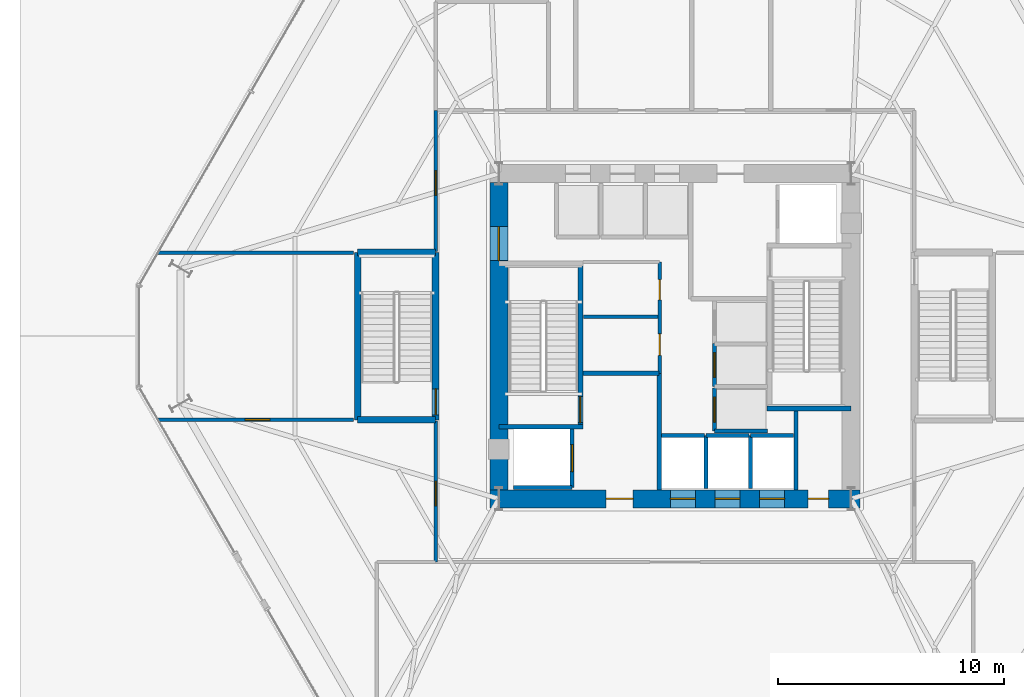
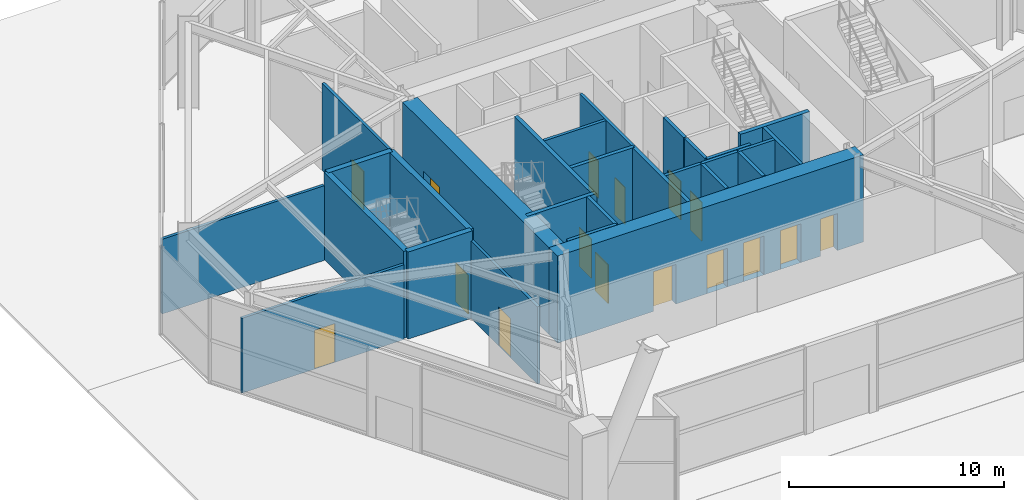
# One storey, part 17 of 26: 28 walls, 16 doors, 16 openings.
"""IFC4 building model written with IfcOpenShell, lengths in metres."""

from ifc_helpers import new_model, si_unit, direction, frame, frame_2d, origin, place, context, subcontext, project, spatial, rectangle, extrude, material, layer, layer_set, type_object, element, fill, save


model = new_model("IFC4")

# Units and contexts
model_context = context("Model", 3, precision=1e-05, world=origin(), true_north=direction((0.0, 1.0)))
body_context = subcontext(model_context, "Body", "Model", "MODEL_VIEW")
ifc_project = project(units=[si_unit("LENGTHUNIT", "METRE"), si_unit("AREAUNIT", "SQUARE_METRE"), si_unit("VOLUMEUNIT", "CUBIC_METRE"), si_unit("PLANEANGLEUNIT", "RADIAN"), si_unit("MASSUNIT", "GRAM", prefix="KILO")], contexts=[model_context])

# Site, building, storey
site_placement = place(None, origin())
site = spatial("IfcSite", under=ifc_project, at=site_placement, CompositionType="ELEMENT")
building_placement = place(site_placement, origin())
building = spatial("IfcBuilding", under=site, at=building_placement, Name="Kranzbogen Civic Tower", CompositionType="ELEMENT")
storey_placement = place(building_placement, origin())
storey = spatial("IfcBuildingStorey", under=building, at=storey_placement, Name="L00", CompositionType="ELEMENT", Elevation=0.0)

# Wall, opening, door
ifc_material_1 = material(Name="Double-Stud Acoustic Gypsum Partition")
ifc_layer_1 = layer(ifc_material_1, 0.14990234375, Name="Double-Stud Acoustic Gypsum Partition")
ifc_layer_set_1 = layer_set([ifc_layer_1], Name="Double-Stud Acoustic Gypsum Partition")
wall_type_1 = type_object("IfcWallType", Name="Acoustic Corridor and Clinical Partition 150 mm", PredefinedType="PARTITIONING", material=ifc_layer_set_1)
wall_1_placement = place(storey_placement, frame((14.39990234375, 15.0, 0.0), z_axis=(0.0, 0.0, 1.0), x_axis=(0.0, 1.0, 0.0)))
wall_1 = element("IfcWall", 1, at=wall_1_placement, inside=storey, type_object=wall_type_1, Name="L00 podium concourse W1 wall", PredefinedType="PARTITIONING", context=body_context, shape_type="SweptSolid", body=[
    extrude(rectangle(XDim=6.25, YDim=0.14990234375, at=frame_2d((3.125, 0.0))), origin(), (0.0, 0.0, 1.0), 4.389892578125),
])
opening_1_placement = place(wall_1_placement, frame((2.486083984375, 0.0, 0.0)))
opening_1 = element("IfcOpeningElement", 2, at=opening_1_placement, cuts=wall_1, Name="Opening D-COR60", PredefinedType="OPENING", context=body_context, shape_type="SweptSolid", body=[
    extrude(rectangle(XDim=1.10009765625, YDim=2.199951171875, at=frame_2d((0.550048828125, 1.10009765625))), frame((0.0, 0.0849609375, 0.0), z_axis=(0.0, -1.0, 0.0), x_axis=(1.0, 0.0, 0.0)), (0.0, 0.0, 1.0), 0.169921875),
])
ifc_material_2 = material(Name="Oak Timber and Fire Core", Category="wood")
door_type_1 = type_object("IfcDoorType", Name="Corridor Acoustic Fire Door 1100x2200", OperationType="NOTDEFINED", PredefinedType="DOOR", material=ifc_material_2)
door_1_placement = place(opening_1_placement, origin())
door_1 = element("IfcDoor", 3, at=door_1_placement, inside=storey, type_object=door_type_1, Name="L00 Central Post and Dispatch Room door", OperationType="SINGLE_SWING_RIGHT", OverallHeight=2.199951171875, OverallWidth=1.10009765625, PredefinedType="DOOR", context=body_context, shape_type="SweptSolid", body=[
    extrude(rectangle(XDim=1.10009765625, YDim=2.199951171875, at=frame_2d((0.550048828125, 1.10009765625))), frame((0.0, 0.02490234375, 0.0), z_axis=(0.0, -1.0, 0.0), x_axis=(1.0, 0.0, 0.0)), (0.0, 0.0, 1.0), 0.050048828125),
])
fill(opening_1, door_1)

wall_2_placement = place(storey_placement, frame((14.39990234375, 28.75, 0.0), z_axis=(0.0, 0.0, 1.0), x_axis=(0.0, 1.0, 0.0)))
wall_2 = element("IfcWall", 4, at=wall_2_placement, inside=storey, type_object=wall_type_1, Name="L00 podium concourse W2 wall", PredefinedType="PARTITIONING", context=body_context, shape_type="SweptSolid", body=[
    extrude(rectangle(XDim=6.25, YDim=0.14990234375, at=frame_2d((3.125, 0.0))), origin(), (0.0, 0.0, 1.0), 4.93994140625),
])
opening_2_placement = place(wall_2_placement, frame((2.486083984375, 0.0, 0.0)))
opening_2 = element("IfcOpeningElement", 5, at=opening_2_placement, cuts=wall_2, Name="Opening D-COR60", PredefinedType="OPENING", context=body_context, shape_type="SweptSolid", body=[
    extrude(rectangle(XDim=1.10009765625, YDim=2.199951171875, at=frame_2d((0.550048828125, 1.10009765625))), frame((0.0, 0.0849609375, 0.0), z_axis=(0.0, -1.0, 0.0), x_axis=(1.0, 0.0, 0.0)), (0.0, 0.0, 1.0), 0.169921875),
])
door_2_placement = place(opening_2_placement, origin())
door_2 = element("IfcDoor", 6, at=door_2_placement, inside=storey, type_object=door_type_1, Name="L00 Civil Registry Counter Hall door", OperationType="SINGLE_SWING_LEFT", OverallHeight=2.199951171875, OverallWidth=1.10009765625, PredefinedType="DOOR", context=body_context, shape_type="SweptSolid", body=[
    extrude(rectangle(XDim=1.10009765625, YDim=2.199951171875, at=frame_2d((0.550048828125, 1.10009765625))), frame((0.0, 0.02490234375, 0.0), z_axis=(0.0, -1.0, 0.0), x_axis=(1.0, 0.0, 0.0)), (0.0, 0.0, 1.0), 0.050048828125),
])
fill(opening_2, door_2)

wall_3_placement = place(storey_placement, frame((2.080078125, 21.300048828125, 0.0), z_axis=(0.0, 0.0, 1.0), x_axis=(1.0, 0.0, 0.0)))
wall_3 = element("IfcWall", 7, at=wall_3_placement, inside=storey, type_object=wall_type_1, Name="L00 podium partition 12", PredefinedType="PARTITIONING", context=body_context, shape_type="SweptSolid", body=[
    extrude(rectangle(XDim=8.68994140625, YDim=0.14990234375, at=frame_2d((4.344970703125, 0.0))), origin(), (0.0, 0.0, 1.0), 4.239990234375),
])
opening_3_placement = place(wall_3_placement, frame((3.884033203125, 0.0, 0.0)))
opening_3 = element("IfcOpeningElement", 8, at=opening_3_placement, cuts=wall_3, Name="Opening D-COR60", PredefinedType="OPENING", context=body_context, shape_type="SweptSolid", body=[
    extrude(rectangle(XDim=1.10009765625, YDim=2.199951171875, at=frame_2d((0.550048828125, 1.10009765625))), frame((0.0, 0.0849609375, 0.0), z_axis=(0.0, -1.0, 0.0), x_axis=(1.0, 0.0, 0.0)), (0.0, 0.0, 1.0), 0.169921875),
])
door_3_placement = place(opening_3_placement, origin())
door_3 = element("IfcDoor", 9, at=door_3_placement, inside=storey, type_object=door_type_1, Name="L00 Citizen Enquiries Suite door", OperationType="SINGLE_SWING_LEFT", OverallHeight=2.199951171875, OverallWidth=1.10009765625, PredefinedType="DOOR", context=body_context, shape_type="SweptSolid", body=[
    extrude(rectangle(XDim=1.10009765625, YDim=2.199951171875, at=frame_2d((0.550048828125, 1.10009765625))), frame((0.0, 0.02490234375, 0.0), z_axis=(0.0, -1.0, 0.0), x_axis=(1.0, 0.0, 0.0)), (0.0, 0.0, 1.0), 0.050048828125),
])
fill(opening_3, door_3)

# Wall
wall_4_placement = place(storey_placement, frame((2.080078125, 28.699951171875, 0.0), z_axis=(0.0, 0.0, 1.0), x_axis=(1.0, 0.0, 0.0)))
element("IfcWall", 10, at=wall_4_placement, inside=storey, type_object=wall_type_1, Name="L00 podium partition 13", PredefinedType="PARTITIONING", context=body_context, shape_type="SweptSolid", body=[
    extrude(rectangle(XDim=8.68994140625, YDim=0.14990234375, at=frame_2d((4.344970703125, 0.0))), origin(), (0.0, 0.0, 1.0), 4.239990234375),
])

# Wall, openings, doors
ifc_material_3 = material(Name="Concrete C55/67", Category="concrete")
ifc_layer_2 = layer(ifc_material_3, 0.800048828125, Name="Concrete C55/67")
ifc_layer_set_2 = layer_set([ifc_layer_2], Name="Concrete C55/67")
wall_type_2 = type_object("IfcWallType", Name="Central Core Shear Wall 800 mm", PredefinedType="SHEAR", material=ifc_layer_set_2)
wall_5_placement = place(storey_placement, frame((16.800048828125, 17.800048828125, 0.0), z_axis=(0.0, 0.0, 1.0), x_axis=(1.0, 0.0, 0.0)))
wall_5 = element("IfcWall", 11, at=wall_5_placement, inside=storey, type_object=wall_type_2, Name="L00 central core South shear wall", PredefinedType="SHEAR", context=body_context, shape_type="SweptSolid", body=[
    extrude(rectangle(XDim=16.39990234375, YDim=0.800048828125, at=frame_2d((8.199951171875, 0.0))), origin(), (0.0, 0.0, 1.0), 4.93994140625),
])
opening_4_placement = place(wall_5_placement, frame((5.14990234375, 0.0, 0.0)))
opening_4 = element("IfcOpeningElement", 12, at=opening_4_placement, cuts=wall_5, Name="Opening D-EX120", PredefinedType="OPENING", context=body_context, shape_type="SweptSolid", body=[
    extrude(rectangle(XDim=1.199951171875, YDim=2.25, at=frame_2d((0.60009765625, 1.125))), frame((0.0, 0.41015625, 0.0), z_axis=(0.0, -1.0, 0.0), x_axis=(1.0, 0.0, 0.0)), (0.0, 0.0, 1.0), 0.820068359375),
])
opening_5_placement = place(wall_5_placement, frame((14.10009765625, 0.0, 0.0)))
opening_5 = element("IfcOpeningElement", 13, at=opening_5_placement, cuts=wall_5, Name="Opening D-WC90", PredefinedType="OPENING", context=body_context, shape_type="SweptSolid", body=[
    extrude(rectangle(XDim=0.89990234375, YDim=2.10009765625, at=frame_2d((0.449951171875, 1.050048828125))), frame((0.0, 0.41015625, 0.0), z_axis=(0.0, -1.0, 0.0), x_axis=(1.0, 0.0, 0.0)), (0.0, 0.0, 1.0), 0.820068359375),
])
opening_6_placement = place(wall_5_placement, frame((8.0, 0.0, 0.0)))
opening_6 = element("IfcOpeningElement", 14, at=opening_6_placement, cuts=wall_5, Name="Opening LD-LP-01", PredefinedType="OPENING", context=body_context, shape_type="SweptSolid", body=[
    extrude(rectangle(XDim=1.10009765625, YDim=2.199951171875, at=frame_2d((0.550048828125, 1.10009765625))), frame((0.0, 0.41015625, 0.0), z_axis=(0.0, -1.0, 0.0), x_axis=(1.0, 0.0, 0.0)), (0.0, 0.0, 1.0), 0.820068359375),
])
opening_7_placement = place(wall_5_placement, frame((9.97509765625, 0.0, 0.0)))
opening_7 = element("IfcOpeningElement", 15, at=opening_7_placement, cuts=wall_5, Name="Opening LD-LP-02", PredefinedType="OPENING", context=body_context, shape_type="SweptSolid", body=[
    extrude(rectangle(XDim=1.10009765625, YDim=2.199951171875, at=frame_2d((0.550048828125, 1.10009765625))), frame((0.0, 0.41015625, 0.0), z_axis=(0.0, -1.0, 0.0), x_axis=(1.0, 0.0, 0.0)), (0.0, 0.0, 1.0), 0.820068359375),
])
opening_8_placement = place(wall_5_placement, frame((11.949951171875, 0.0, 0.0)))
opening_8 = element("IfcOpeningElement", 16, at=opening_8_placement, cuts=wall_5, Name="Opening LD-LP-03", PredefinedType="OPENING", context=body_context, shape_type="SweptSolid", body=[
    extrude(rectangle(XDim=1.10009765625, YDim=2.199951171875, at=frame_2d((0.550048828125, 1.10009765625))), frame((0.0, 0.41015625, 0.0), z_axis=(0.0, -1.0, 0.0), x_axis=(1.0, 0.0, 0.0)), (0.0, 0.0, 1.0), 0.820068359375),
])
ifc_material_4 = material(Name="Steel S355", Category="steel")
door_type_2 = type_object("IfcDoorType", Name="Exit Passageway Fire Door 1200x2250", OperationType="NOTDEFINED", PredefinedType="DOOR", material=ifc_material_4)
door_4_placement = place(opening_4_placement, origin())
door_4 = element("IfcDoor", 17, at=door_4_placement, inside=storey, type_object=door_type_2, Name="L00 West firefighting lobby corridor door", OperationType="SINGLE_SWING_RIGHT", OverallHeight=2.25, OverallWidth=1.199951171875, PredefinedType="DOOR", context=body_context, shape_type="SweptSolid", body=[
    extrude(rectangle(XDim=1.199951171875, YDim=2.25, at=frame_2d((0.60009765625, 1.125))), frame((0.0, 0.02490234375, 0.0), z_axis=(0.0, -1.0, 0.0), x_axis=(1.0, 0.0, 0.0)), (0.0, 0.0, 1.0), 0.050048828125),
])
fill(opening_4, door_4)
ifc_material_5 = material(Name="Pale Anodised Aluminium", Category="aluminium")
door_type_3 = type_object("IfcDoorType", Name="Passenger Lift Sliding Landing Door 1100x2200", OperationType="DOUBLE_DOOR_SLIDING", PredefinedType="DOOR", material=ifc_material_5)
door_5_placement = place(opening_6_placement, origin())
door_5 = element("IfcDoor", 18, at=door_5_placement, inside=storey, type_object=door_type_3, Name="L00 lift LP-01 sliding landing door", OperationType="DOUBLE_DOOR_SLIDING", OverallHeight=2.199951171875, OverallWidth=1.10009765625, PredefinedType="DOOR", context=body_context, shape_type="SweptSolid", body=[
    extrude(rectangle(XDim=1.10009765625, YDim=2.199951171875, at=frame_2d((0.550048828125, 1.10009765625))), frame((0.0, 0.02490234375, 0.0), z_axis=(0.0, -1.0, 0.0), x_axis=(1.0, 0.0, 0.0)), (0.0, 0.0, 1.0), 0.050048828125),
])
fill(opening_6, door_5)
door_6_placement = place(opening_7_placement, origin())
door_6 = element("IfcDoor", 19, at=door_6_placement, inside=storey, type_object=door_type_3, Name="L00 lift LP-02 sliding landing door", OperationType="DOUBLE_DOOR_SLIDING", OverallHeight=2.199951171875, OverallWidth=1.10009765625, PredefinedType="DOOR", context=body_context, shape_type="SweptSolid", body=[
    extrude(rectangle(XDim=1.10009765625, YDim=2.199951171875, at=frame_2d((0.550048828125, 1.10009765625))), frame((0.0, 0.02490234375, 0.0), z_axis=(0.0, -1.0, 0.0), x_axis=(1.0, 0.0, 0.0)), (0.0, 0.0, 1.0), 0.050048828125),
])
fill(opening_7, door_6)
door_7_placement = place(opening_8_placement, origin())
door_7 = element("IfcDoor", 20, at=door_7_placement, inside=storey, type_object=door_type_3, Name="L00 lift LP-03 sliding landing door", OperationType="DOUBLE_DOOR_SLIDING", OverallHeight=2.199951171875, OverallWidth=1.10009765625, PredefinedType="DOOR", context=body_context, shape_type="SweptSolid", body=[
    extrude(rectangle(XDim=1.10009765625, YDim=2.199951171875, at=frame_2d((0.550048828125, 1.10009765625))), frame((0.0, 0.02490234375, 0.0), z_axis=(0.0, -1.0, 0.0), x_axis=(1.0, 0.0, 0.0)), (0.0, 0.0, 1.0), 0.050048828125),
])
fill(opening_8, door_7)
ifc_material_6 = material(Name="Moisture-Resistant Laminate")
door_type_4 = type_object("IfcDoorType", Name="Standard Restroom and Store Door 900x2100", OperationType="NOTDEFINED", PredefinedType="DOOR", material=ifc_material_6)
door_8_placement = place(opening_5_placement, origin())
door_8 = element("IfcDoor", 21, at=door_8_placement, inside=storey, type_object=door_type_4, Name="L00 East electrical riser access door", OperationType="SINGLE_SWING_RIGHT", OverallHeight=2.10009765625, OverallWidth=0.89990234375, PredefinedType="DOOR", context=body_context, shape_type="SweptSolid", body=[
    extrude(rectangle(XDim=0.89990234375, YDim=2.10009765625, at=frame_2d((0.449951171875, 1.050048828125))), frame((0.0, 0.02490234375, 0.0), z_axis=(0.0, -1.0, 0.0), x_axis=(1.0, 0.0, 0.0)), (0.0, 0.0, 1.0), 0.050048828125),
])
fill(opening_5, door_8)

# Wall, opening, door
wall_6_placement = place(storey_placement, frame((17.199951171875, 31.800048828125, 0.0), z_axis=(0.0, 0.0, 1.0), x_axis=(0.0, -1.0, 0.0)))
wall_6 = element("IfcWall", 22, at=wall_6_placement, inside=storey, type_object=wall_type_2, Name="L00 central core West shear wall", PredefinedType="SHEAR", context=body_context, shape_type="SweptSolid", body=[
    extrude(rectangle(XDim=13.60009765625, YDim=0.800048828125, at=frame_2d((6.800048828125, 0.0))), origin(), (0.0, 0.0, 1.0), 4.93994140625),
])
opening_9_placement = place(wall_6_placement, frame((1.949951171875, 0.0, 0.0)))
opening_9 = element("IfcOpeningElement", 23, at=opening_9_placement, cuts=wall_6, Name="Opening D-DBL15", PredefinedType="OPENING", context=body_context, shape_type="SweptSolid", body=[
    extrude(rectangle(XDim=1.5, YDim=2.199951171875, at=frame_2d((0.75, 1.10009765625))), frame((0.0, 0.41015625, 0.0), z_axis=(0.0, -1.0, 0.0), x_axis=(1.0, 0.0, 0.0)), (0.0, 0.0, 1.0), 0.820068359375),
])
ifc_material_7 = material(Name="Anodised Bronze and Glass", Category="glass")
door_type_5 = type_object("IfcDoorType", Name="Civic Lobby Double Door 1500x2200", OperationType="DOUBLE_DOOR_SINGLE_SWING", PredefinedType="DOOR", material=ifc_material_7)
door_9_placement = place(opening_9_placement, origin())
door_9 = element("IfcDoor", 24, at=door_9_placement, inside=storey, type_object=door_type_5, Name="L00 Central Lift Lobby West concourse door", OperationType="DOUBLE_DOOR_SINGLE_SWING", OverallHeight=2.199951171875, OverallWidth=1.5, PredefinedType="DOOR", context=body_context, shape_type="SweptSolid", body=[
    extrude(rectangle(XDim=1.5, YDim=2.199951171875, at=frame_2d((0.75, 1.10009765625))), frame((0.0, 0.02490234375, 0.0), z_axis=(0.0, -1.0, 0.0), x_axis=(1.0, 0.0, 0.0)), (0.0, 0.0, 1.0), 0.050048828125),
])
fill(opening_9, door_9)

ifc_material_8 = material(Name="Concrete C45/55", Category="concrete")
ifc_layer_3 = layer(ifc_material_8, 0.219970703125, Name="Concrete C45/55")
ifc_layer_set_3 = layer_set([ifc_layer_3], Name="Concrete C45/55")
wall_type_3 = type_object("IfcWallType", Name="Core Internal Stair Structural Wall 220 mm", PredefinedType="SOLIDWALL", material=ifc_layer_set_3)
wall_7_placement = place(storey_placement, frame((20.81005859375, 20.989990234375, 0.0), z_axis=(0.0, 0.0, 1.0), x_axis=(0.0, 1.0, 0.0)))
wall_7 = element("IfcWall", 25, at=wall_7_placement, inside=storey, type_object=wall_type_3, Name="L00 ST-T1 East structural stair wall", PredefinedType="SOLIDWALL", context=body_context, shape_type="SweptSolid", body=[
    extrude(rectangle(XDim=7.219970703125, YDim=0.219970703125, at=frame_2d((3.60986328125, 0.0))), origin(), (0.0, 0.0, 1.0), 4.93994140625),
])
opening_10_placement = place(wall_7_placement, frame((0.179931640625, 0.0, 0.0)))
opening_10 = element("IfcOpeningElement", 26, at=opening_10_placement, cuts=wall_7, Name="Opening D-ST90", PredefinedType="OPENING", context=body_context, shape_type="SweptSolid", body=[
    extrude(rectangle(XDim=1.14990234375, YDim=2.199951171875, at=frame_2d((0.574951171875, 1.10009765625))), frame((0.0, 0.1201171875, 0.0), z_axis=(0.0, -1.0, 0.0), x_axis=(1.0, 0.0, 0.0)), (0.0, 0.0, 1.0), 0.239990234375),
])
door_type_6 = type_object("IfcDoorType", Name="Pressurized Stair and Lobby Fire Door 1150x2200", OperationType="NOTDEFINED", PredefinedType="DOOR", material=ifc_material_4)
door_10_placement = place(opening_10_placement, origin())
door_10 = element("IfcDoor", 27, at=door_10_placement, inside=storey, type_object=door_type_6, Name="L00 Stair ST-T1 fire door", OperationType="SINGLE_SWING_RIGHT", OverallHeight=2.199951171875, OverallWidth=1.14990234375, PredefinedType="DOOR", context=body_context, shape_type="SweptSolid", body=[
    extrude(rectangle(XDim=1.14990234375, YDim=2.199951171875, at=frame_2d((0.574951171875, 1.10009765625))), frame((0.0, 0.02490234375, 0.0), z_axis=(0.0, -1.0, 0.0), x_axis=(1.0, 0.0, 0.0)), (0.0, 0.0, 1.0), 0.050048828125),
])
fill(opening_10, door_10)

# Walls
for number, where, z_axis, x_axis, name in (
    (28, (17.199951171875, 20.989990234375, 0.0), (0.0, 0.0, 1.0), (1.0, 0.0, 0.0), "L00 ST-T1 South structural stair wall"),
    (29, (29.080078125, 21.7900390625, 0.0), (0.0, 0.0, 1.0), (1.0, 0.0, 0.0), "L00 ST-T2 South structural stair wall"),
):
    element("IfcWall", number, at=place(storey_placement, frame(where, z_axis=z_axis, x_axis=x_axis)), inside=storey, type_object=wall_type_3, Name=name, PredefinedType="SOLIDWALL", context=body_context, shape_type="SweptSolid", body=[
        extrude(rectangle(XDim=3.719970703125, YDim=0.219970703125, at=frame_2d((1.85986328125, 0.0))), origin(), (0.0, 0.0, 1.0), 4.93994140625),
    ])
ifc_material_9 = material(Name="Gypsum Fireboard and Concrete Block", Category="concrete")
ifc_layer_4 = layer(ifc_material_9, 0.199951171875, Name="Gypsum Fireboard and Concrete Block")
ifc_layer_set_4 = layer_set([ifc_layer_4], Name="Gypsum Fireboard and Concrete Block")
wall_type_4 = type_object("IfcWallType", Name="Fire-Rated Exit Passageway and Stair Wall 200 mm", PredefinedType="PARTITIONING", material=ifc_layer_set_4)
wall_8_placement = place(storey_placement, frame((24.300048828125, 18.199951171875, 0.0), z_axis=(0.0, 0.0, 1.0), x_axis=(0.0, 1.0, 0.0)))
element("IfcWall", 30, at=wall_8_placement, inside=storey, type_object=wall_type_4, Name="L00 West firefighting lobby East wall", PredefinedType="PARTITIONING", context=body_context, shape_type="SweptSolid", body=[
    extrude(rectangle(XDim=5.150146484375, YDim=0.199951171875, at=frame_2d((2.5751953125, 0.0))), origin(), (0.0, 0.0, 1.0), 4.93994140625),
])
wall_9_placement = place(storey_placement, frame((20.919921875, 23.35009765625, 0.0), z_axis=(0.0, 0.0, 1.0), x_axis=(1.0, 0.0, 0.0)))
element("IfcWall", 31, at=wall_9_placement, inside=storey, type_object=wall_type_4, Name="L00 West firefighting lobby North wall", PredefinedType="PARTITIONING", context=body_context, shape_type="SweptSolid", body=[
    extrude(rectangle(XDim=3.380126953125, YDim=0.199951171875, at=frame_2d((1.68994140625, 0.0))), origin(), (0.0, 0.0, 1.0), 4.93994140625),
])
ifc_material_10 = material(Name="Gypsum Fireboard Shaftliner")
ifc_layer_5 = layer(ifc_material_10, 0.175048828125, Name="Gypsum Fireboard Shaftliner")
ifc_layer_set_5 = layer_set([ifc_layer_5], Name="Gypsum Fireboard Shaftliner")
wall_type_5 = type_object("IfcWallType", Name="Fire-Rated Lift and Service Shaft Wall 175 mm", PredefinedType="PARTITIONING", material=ifc_layer_set_5)
wall_10_placement = place(storey_placement, frame((30.35009765625, 18.199951171875, 0.0), z_axis=(0.0, 0.0, 1.0), x_axis=(0.0, 1.0, 0.0)))
element("IfcWall", 32, at=wall_10_placement, inside=storey, type_object=wall_type_5, Name="L00 East core riser West wall", PredefinedType="PARTITIONING", context=body_context, shape_type="SweptSolid", body=[
    extrude(rectangle(XDim=3.47998046875, YDim=0.175048828125, at=frame_2d((1.739990234375, 0.0))), origin(), (0.0, 0.0, 1.0), 4.93994140625),
])
wall_11_placement = place(storey_placement, frame((24.39990234375, 20.60009765625, 0.0), z_axis=(0.0, 0.0, 1.0), x_axis=(1.0, 0.0, 0.0)))
element("IfcWall", 33, at=wall_11_placement, inside=storey, type_object=wall_type_5, Name="L00 lift LP-01 rear wall", PredefinedType="PARTITIONING", context=body_context, shape_type="SweptSolid", body=[
    extrude(rectangle(XDim=1.900146484375, YDim=0.175048828125, at=frame_2d((0.9501953125, 0.0))), origin(), (0.0, 0.0, 1.0), 4.93994140625),
])
wall_12_placement = place(storey_placement, frame((26.375, 20.60009765625, 0.0), z_axis=(0.0, 0.0, 1.0), x_axis=(1.0, 0.0, 0.0)))
element("IfcWall", 34, at=wall_12_placement, inside=storey, type_object=wall_type_5, Name="L00 lift LP-02 rear wall", PredefinedType="PARTITIONING", context=body_context, shape_type="SweptSolid", body=[
    extrude(rectangle(XDim=1.89990234375, YDim=0.175048828125, at=frame_2d((0.949951171875, 0.0))), origin(), (0.0, 0.0, 1.0), 4.93994140625),
])
wall_13_placement = place(storey_placement, frame((26.375, 18.25, 0.0), z_axis=(0.0, 0.0, 1.0), x_axis=(0.0, 1.0, 0.0)))
element("IfcWall", 35, at=wall_13_placement, inside=storey, type_object=wall_type_5, Name="L00 lift LP-02 side wall", PredefinedType="PARTITIONING", context=body_context, shape_type="SweptSolid", body=[
    extrude(rectangle(XDim=2.35009765625, YDim=0.175048828125, at=frame_2d((1.175048828125, 0.0))), origin(), (0.0, 0.0, 1.0), 4.93994140625),
])
wall_14_placement = place(storey_placement, frame((28.35009765625, 20.60009765625, 0.0), z_axis=(0.0, 0.0, 1.0), x_axis=(1.0, 0.0, 0.0)))
element("IfcWall", 36, at=wall_14_placement, inside=storey, type_object=wall_type_5, Name="L00 lift LP-03 rear wall", PredefinedType="PARTITIONING", context=body_context, shape_type="SweptSolid", body=[
    extrude(rectangle(XDim=1.89990234375, YDim=0.175048828125, at=frame_2d((0.949951171875, 0.0))), origin(), (0.0, 0.0, 1.0), 4.93994140625),
])
wall_15_placement = place(storey_placement, frame((28.35009765625, 18.25, 0.0), z_axis=(0.0, 0.0, 1.0), x_axis=(0.0, 1.0, 0.0)))
element("IfcWall", 37, at=wall_15_placement, inside=storey, type_object=wall_type_5, Name="L00 lift LP-03 side wall", PredefinedType="PARTITIONING", context=body_context, shape_type="SweptSolid", body=[
    extrude(rectangle(XDim=2.35009765625, YDim=0.175048828125, at=frame_2d((1.175048828125, 0.0))), origin(), (0.0, 0.0, 1.0), 4.93994140625),
])

# Wall, opening, door
wall_16_placement = place(storey_placement, frame((26.75, 20.800048828125, 0.0), z_axis=(0.0, 0.0, 1.0), x_axis=(0.0, 1.0, 0.0)))
wall_16 = element("IfcWall", 38, at=wall_16_placement, inside=storey, type_object=wall_type_5, Name="L00 lift HP-01 landing wall", PredefinedType="PARTITIONING", context=body_context, shape_type="SweptSolid", body=[
    extrude(rectangle(XDim=1.89990234375, YDim=0.175048828125, at=frame_2d((0.949951171875, 0.0))), origin(), (0.0, 0.0, 1.0), 4.93994140625),
])
opening_11_placement = place(wall_16_placement, frame((0.39990234375, 0.0, 0.0)))
opening_11 = element("IfcOpeningElement", 39, at=opening_11_placement, cuts=wall_16, Name="Opening LD-HP-01", PredefinedType="OPENING", context=body_context, shape_type="SweptSolid", body=[
    extrude(rectangle(XDim=1.10009765625, YDim=2.199951171875, at=frame_2d((0.550048828125, 1.10009765625))), frame((0.0, 0.09765625, 0.0), z_axis=(0.0, -1.0, 0.0), x_axis=(1.0, 0.0, 0.0)), (0.0, 0.0, 1.0), 0.195068359375),
])
door_11_placement = place(opening_11_placement, origin())
door_11 = element("IfcDoor", 40, at=door_11_placement, inside=storey, type_object=door_type_3, Name="L00 lift HP-01 sliding landing door", OperationType="DOUBLE_DOOR_SLIDING", OverallHeight=2.199951171875, OverallWidth=1.10009765625, PredefinedType="DOOR", context=body_context, shape_type="SweptSolid", body=[
    extrude(rectangle(XDim=1.10009765625, YDim=2.199951171875, at=frame_2d((0.550048828125, 1.10009765625))), frame((0.0, 0.02490234375, 0.0), z_axis=(0.0, -1.0, 0.0), x_axis=(1.0, 0.0, 0.0)), (0.0, 0.0, 1.0), 0.050048828125),
])
fill(opening_11, door_11)

# Wall
wall_17_placement = place(storey_placement, frame((26.75, 20.800048828125, 0.0), z_axis=(0.0, 0.0, 1.0), x_axis=(1.0, 0.0, 0.0)))
element("IfcWall", 41, at=wall_17_placement, inside=storey, type_object=wall_type_5, Name="L00 lift HP-01 side wall", PredefinedType="PARTITIONING", context=body_context, shape_type="SweptSolid", body=[
    extrude(rectangle(XDim=2.35009765625, YDim=0.175048828125, at=frame_2d((1.175048828125, 0.0))), origin(), (0.0, 0.0, 1.0), 4.93994140625),
])

# Wall, opening, door
wall_18_placement = place(storey_placement, frame((26.75, 22.77490234375, 0.0), z_axis=(0.0, 0.0, 1.0), x_axis=(0.0, 1.0, 0.0)))
wall_18 = element("IfcWall", 42, at=wall_18_placement, inside=storey, type_object=wall_type_5, Name="L00 lift HP-02 landing wall", PredefinedType="PARTITIONING", context=body_context, shape_type="SweptSolid", body=[
    extrude(rectangle(XDim=1.900146484375, YDim=0.175048828125, at=frame_2d((0.9501953125, 0.0))), origin(), (0.0, 0.0, 1.0), 4.93994140625),
])
opening_12_placement = place(wall_18_placement, frame((0.39990234375, 0.0, 0.0)))
opening_12 = element("IfcOpeningElement", 43, at=opening_12_placement, cuts=wall_18, Name="Opening LD-HP-02", PredefinedType="OPENING", context=body_context, shape_type="SweptSolid", body=[
    extrude(rectangle(XDim=1.10009765625, YDim=2.199951171875, at=frame_2d((0.550048828125, 1.10009765625))), frame((0.0, 0.09765625, 0.0), z_axis=(0.0, -1.0, 0.0), x_axis=(1.0, 0.0, 0.0)), (0.0, 0.0, 1.0), 0.195068359375),
])
door_12_placement = place(opening_12_placement, origin())
door_12 = element("IfcDoor", 44, at=door_12_placement, inside=storey, type_object=door_type_3, Name="L00 lift HP-02 sliding landing door", OperationType="DOUBLE_DOOR_SLIDING", OverallHeight=2.199951171875, OverallWidth=1.10009765625, PredefinedType="DOOR", context=body_context, shape_type="SweptSolid", body=[
    extrude(rectangle(XDim=1.10009765625, YDim=2.199951171875, at=frame_2d((0.550048828125, 1.10009765625))), frame((0.0, 0.02490234375, 0.0), z_axis=(0.0, -1.0, 0.0), x_axis=(1.0, 0.0, 0.0)), (0.0, 0.0, 1.0), 0.050048828125),
])
fill(opening_12, door_12)

wall_19_placement = place(storey_placement, frame((20.449951171875, 18.300048828125, 0.0), z_axis=(0.0, 0.0, 1.0), x_axis=(0.0, 1.0, 0.0)))
wall_19 = element("IfcWall", 45, at=wall_19_placement, inside=storey, type_object=wall_type_5, Name="L00 lift FF-01 landing wall", PredefinedType="PARTITIONING", context=body_context, shape_type="SweptSolid", body=[
    extrude(rectangle(XDim=2.599853515625, YDim=0.175048828125, at=frame_2d((1.2998046875, 0.0))), origin(), (0.0, 0.0, 1.0), 4.93994140625),
])
opening_13_placement = place(wall_19_placement, frame((0.699951171875, 0.0, 0.0)))
opening_13 = element("IfcOpeningElement", 46, at=opening_13_placement, cuts=wall_19, Name="Opening LD-FF-01", PredefinedType="OPENING", context=body_context, shape_type="SweptSolid", body=[
    extrude(rectangle(XDim=1.199951171875, YDim=2.199951171875, at=frame_2d((0.60009765625, 1.10009765625))), frame((0.0, 0.09765625, 0.0), z_axis=(0.0, -1.0, 0.0), x_axis=(1.0, 0.0, 0.0)), (0.0, 0.0, 1.0), 0.195068359375),
])
door_type_7 = type_object("IfcDoorType", Name="Firefighting and Stretcher Lift Sliding Landing Door 1200x2200", OperationType="DOUBLE_DOOR_SLIDING", PredefinedType="DOOR", material=ifc_material_5)
door_13_placement = place(opening_13_placement, origin())
door_13 = element("IfcDoor", 47, at=door_13_placement, inside=storey, type_object=door_type_7, Name="L00 lift FF-01 sliding landing door", OperationType="DOUBLE_DOOR_SLIDING", OverallHeight=2.199951171875, OverallWidth=1.199951171875, PredefinedType="DOOR", context=body_context, shape_type="SweptSolid", body=[
    extrude(rectangle(XDim=1.199951171875, YDim=2.199951171875, at=frame_2d((0.60009765625, 1.10009765625))), frame((0.0, 0.02490234375, 0.0), z_axis=(0.0, -1.0, 0.0), x_axis=(1.0, 0.0, 0.0)), (0.0, 0.0, 1.0), 0.050048828125),
])
fill(opening_13, door_13)

# Wall
wall_20_placement = place(storey_placement, frame((17.85009765625, 18.300048828125, 0.0), z_axis=(0.0, 0.0, 1.0), x_axis=(1.0, 0.0, 0.0)))
element("IfcWall", 48, at=wall_20_placement, inside=storey, type_object=wall_type_5, Name="L00 lift FF-01 side wall", PredefinedType="PARTITIONING", context=body_context, shape_type="SweptSolid", body=[
    extrude(rectangle(XDim=2.599853515625, YDim=0.175048828125, at=frame_2d((1.2998046875, 0.0))), origin(), (0.0, 0.0, 1.0), 4.93994140625),
])

# Wall, openings, doors
ifc_material_11 = material(Name="Moisture-Resistant Gypsum Assembly")
ifc_layer_6 = layer(ifc_material_11, 0.159912109375, Name="Moisture-Resistant Gypsum Assembly")
ifc_layer_set_6 = layer_set([ifc_layer_6], Name="Moisture-Resistant Gypsum Assembly")
wall_type_6 = type_object("IfcWallType", Name="Sanitary and Plumbing Wet Wall 160 mm", PredefinedType="PLUMBINGWALL", material=ifc_layer_set_6)
wall_21_placement = place(storey_placement, frame((24.324951171875, 23.35009765625, 0.0), z_axis=(0.0, 0.0, 1.0), x_axis=(0.0, 1.0, 0.0)))
wall_21 = element("IfcWall", 49, at=wall_21_placement, inside=storey, type_object=wall_type_6, Name="L00 core auxiliary East wall", PredefinedType="PLUMBINGWALL", context=body_context, shape_type="SweptSolid", body=[
    extrude(rectangle(XDim=4.929931640625, YDim=0.159912109375, at=frame_2d((2.46484375, 0.0))), origin(), (0.0, 0.0, 1.0), 4.93994140625),
])
opening_14_placement = place(wall_21_placement, frame((0.800048828125, 0.0, 0.0)))
opening_14 = element("IfcOpeningElement", 50, at=opening_14_placement, cuts=wall_21, Name="Opening D-AWC95", PredefinedType="OPENING", context=body_context, shape_type="SweptSolid", body=[
    extrude(rectangle(XDim=0.949951171875, YDim=2.10009765625, at=frame_2d((0.47509765625, 1.050048828125))), frame((0.0, 0.08984375, 0.0), z_axis=(0.0, -1.0, 0.0), x_axis=(1.0, 0.0, 0.0)), (0.0, 0.0, 1.0), 0.179931640625),
])
opening_15_placement = place(wall_21_placement, frame((3.260009765625, 0.0, 0.0)))
opening_15 = element("IfcOpeningElement", 51, at=opening_15_placement, cuts=wall_21, Name="Opening D-WC90", PredefinedType="OPENING", context=body_context, shape_type="SweptSolid", body=[
    extrude(rectangle(XDim=0.89990234375, YDim=2.10009765625, at=frame_2d((0.449951171875, 1.050048828125))), frame((0.0, 0.08984375, 0.0), z_axis=(0.0, -1.0, 0.0), x_axis=(1.0, 0.0, 0.0)), (0.0, 0.0, 1.0), 0.179931640625),
])
door_type_8 = type_object("IfcDoorType", Name="Accessible Restroom Door 950x2100", OperationType="NOTDEFINED", PredefinedType="DOOR", material=ifc_material_6)
door_14_placement = place(opening_14_placement, origin())
door_14 = element("IfcDoor", 52, at=door_14_placement, inside=storey, type_object=door_type_8, Name="L00 Accessible Restroom door", OperationType="SINGLE_SWING_RIGHT", OverallHeight=2.10009765625, OverallWidth=0.949951171875, PredefinedType="DOOR", context=body_context, shape_type="SweptSolid", body=[
    extrude(rectangle(XDim=0.949951171875, YDim=2.10009765625, at=frame_2d((0.47509765625, 1.050048828125))), frame((0.0, 0.02490234375, 0.0), z_axis=(0.0, -1.0, 0.0), x_axis=(1.0, 0.0, 0.0)), (0.0, 0.0, 1.0), 0.050048828125),
])
fill(opening_14, door_14)
door_15_placement = place(opening_15_placement, origin())
door_15 = element("IfcDoor", 53, at=door_15_placement, inside=storey, type_object=door_type_4, Name="L00 Staff Restroom door", OperationType="SINGLE_SWING_LEFT", OverallHeight=2.10009765625, OverallWidth=0.89990234375, PredefinedType="DOOR", context=body_context, shape_type="SweptSolid", body=[
    extrude(rectangle(XDim=0.89990234375, YDim=2.10009765625, at=frame_2d((0.449951171875, 1.050048828125))), frame((0.0, 0.02490234375, 0.0), z_axis=(0.0, -1.0, 0.0), x_axis=(1.0, 0.0, 0.0)), (0.0, 0.0, 1.0), 0.050048828125),
])
fill(opening_15, door_15)

# Wall
wall_22_placement = place(storey_placement, frame((20.949951171875, 25.860107421875, 0.0), z_axis=(0.0, 0.0, 1.0), x_axis=(1.0, 0.0, 0.0)))
element("IfcWall", 54, at=wall_22_placement, inside=storey, type_object=wall_type_6, Name="L00 core auxiliary partition 1", PredefinedType="PLUMBINGWALL", context=body_context, shape_type="SweptSolid", body=[
    extrude(rectangle(XDim=3.300048828125, YDim=0.159912109375, at=frame_2d((1.64990234375, 0.0))), origin(), (0.0, 0.0, 1.0), 4.93994140625),
])

# Wall, opening, door
ifc_material_12 = material(Name="Concrete C40/50", Category="concrete")
ifc_layer_7 = layer(ifc_material_12, 0.300048828125, Name="Concrete C40/50")
ifc_layer_set_7 = layer_set([ifc_layer_7], Name="Concrete C40/50")
wall_type_7 = type_object("IfcWallType", Name="Structural Ramp and Stair Shaft Wall 300 mm", PredefinedType="SOLIDWALL", material=ifc_layer_set_7)
wall_23_placement = place(storey_placement, frame((14.39990234375, 21.300048828125, 0.0), z_axis=(0.0, 0.0, 1.0), x_axis=(0.0, 1.0, 0.0)))
wall_23 = element("IfcWall", 55, at=wall_23_placement, inside=storey, type_object=wall_type_7, Name="L00 STP1 E structural stair wall", PredefinedType="SOLIDWALL", context=body_context, shape_type="SweptSolid", body=[
    extrude(rectangle(XDim=7.39990234375, YDim=0.300048828125, at=frame_2d((3.699951171875, 0.0))), origin(), (0.0, 0.0, 1.0), 4.93994140625),
])
opening_16_placement = place(wall_23_placement, frame((0.219970703125, 0.0, 0.0)))
opening_16 = element("IfcOpeningElement", 56, at=opening_16_placement, cuts=wall_23, Name="Opening D-ST90", PredefinedType="OPENING", context=body_context, shape_type="SweptSolid", body=[
    extrude(rectangle(XDim=1.14990234375, YDim=2.199951171875, at=frame_2d((0.574951171875, 1.10009765625))), frame((0.0, 0.16015625, 0.0), z_axis=(0.0, -1.0, 0.0), x_axis=(1.0, 0.0, 0.0)), (0.0, 0.0, 1.0), 0.320068359375),
])
door_16_placement = place(opening_16_placement, origin())
door_16 = element("IfcDoor", 57, at=door_16_placement, inside=storey, type_object=door_type_6, Name="L00 Podium Stair 1 fire door", OperationType="SINGLE_SWING_RIGHT", OverallHeight=2.199951171875, OverallWidth=1.14990234375, PredefinedType="DOOR", context=body_context, shape_type="SweptSolid", body=[
    extrude(rectangle(XDim=1.14990234375, YDim=2.199951171875, at=frame_2d((0.574951171875, 1.10009765625))), frame((0.0, 0.02490234375, 0.0), z_axis=(0.0, -1.0, 0.0), x_axis=(1.0, 0.0, 0.0)), (0.0, 0.0, 1.0), 0.050048828125),
])
fill(opening_16, door_16)

# Walls
wall_24_placement = place(storey_placement, frame((10.949951171875, 21.300048828125, 0.0), z_axis=(0.0, 0.0, 1.0), x_axis=(0.0, 1.0, 0.0)))
element("IfcWall", 58, at=wall_24_placement, inside=storey, type_object=wall_type_7, Name="L00 STP1 W structural stair wall", PredefinedType="SOLIDWALL", context=body_context, shape_type="SweptSolid", body=[
    extrude(rectangle(XDim=7.39990234375, YDim=0.300048828125, at=frame_2d((3.699951171875, 0.0))), origin(), (0.0, 0.0, 1.0), 4.93994140625),
])
for number, where, z_axis, x_axis, name in (
    (59, (10.949951171875, 21.300048828125, 0.0), (0.0, 0.0, 1.0), (1.0, 0.0, 0.0), "L00 STP1 S structural stair wall"),
    (60, (10.949951171875, 28.699951171875, 0.0), (0.0, 0.0, 1.0), (1.0, 0.0, 0.0), "L00 STP1 N structural stair wall"),
):
    element("IfcWall", number, at=place(storey_placement, frame(where, z_axis=z_axis, x_axis=x_axis)), inside=storey, type_object=wall_type_7, Name=name, PredefinedType="SOLIDWALL", context=body_context, shape_type="SweptSolid", body=[
        extrude(rectangle(XDim=3.449951171875, YDim=0.300048828125, at=frame_2d((1.72509765625, 0.0))), origin(), (0.0, 0.0, 1.0), 4.93994140625),
    ])

save(model, "model.ifc")
